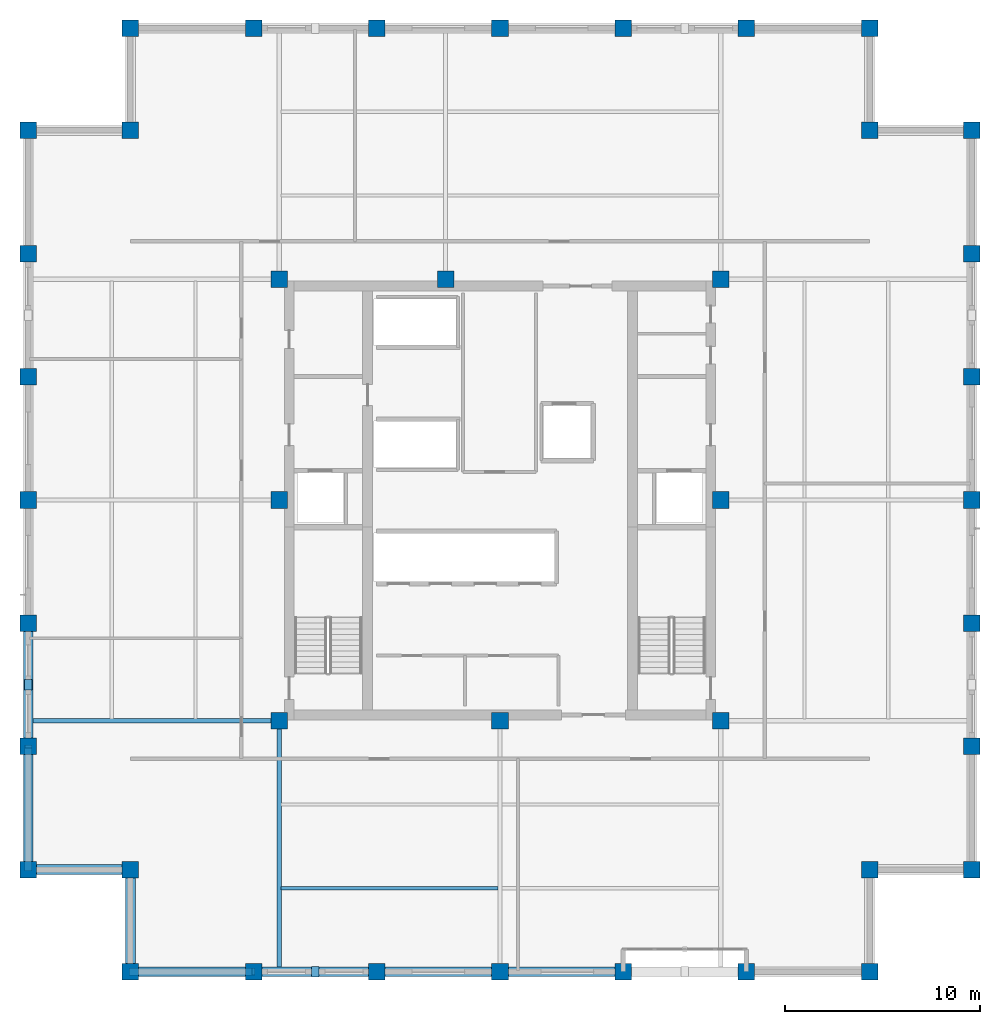
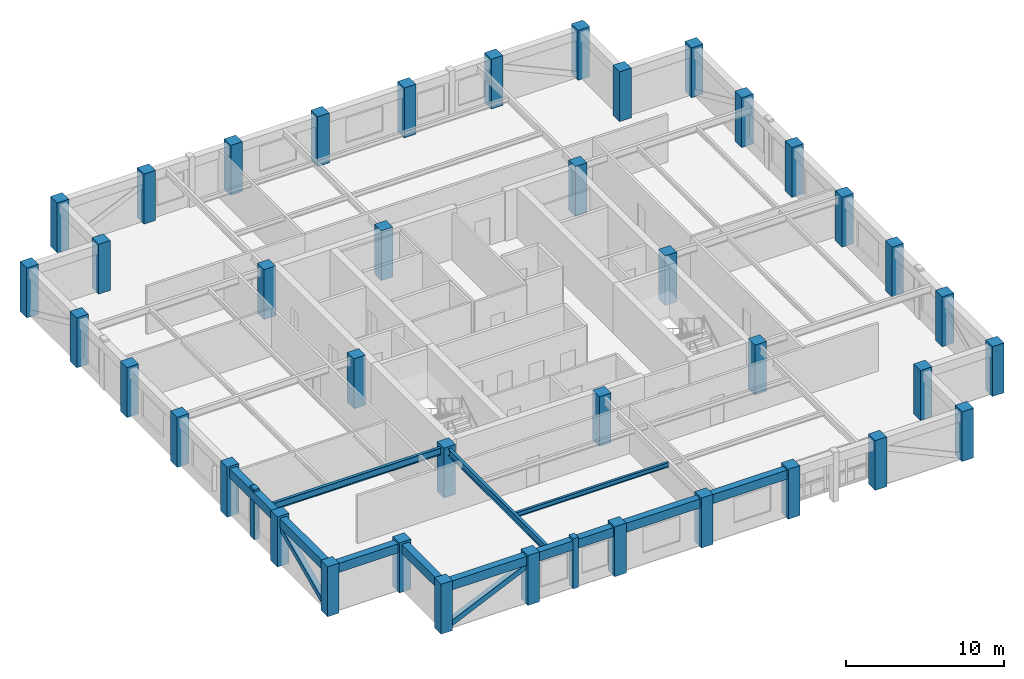
# One storey, part 1 of 13: 40 columns, 11 beams, 4 members.
"""IFC4 building model written with IfcOpenShell, lengths in metres."""

from ifc_helpers import new_model, si_unit, direction, frame, origin, origin_2d, place, context, subcontext, project, spatial, rectangle, hollow_rectangle, i_section, extrude, material, material_profile, profile_set, type_object, element, save


model = new_model("IFC4")

# Units and contexts
model_context = context("Model", 3, precision=1e-05, world=origin(), true_north=direction((0.0, 1.0)))
body_context = subcontext(model_context, "Body", "Model", "MODEL_VIEW")
ifc_project = project(units=[si_unit("LENGTHUNIT", "METRE"), si_unit("AREAUNIT", "SQUARE_METRE"), si_unit("VOLUMEUNIT", "CUBIC_METRE"), si_unit("PLANEANGLEUNIT", "RADIAN"), si_unit("MASSUNIT", "GRAM", prefix="KILO")], contexts=[model_context])

# Site, building, storey
site_placement = place(None, origin())
site = spatial("IfcSite", under=ifc_project, at=site_placement, CompositionType="ELEMENT")
building_placement = place(site_placement, origin())
building = spatial("IfcBuilding", under=site, at=building_placement, Name="Nhamokura Convention Tower", CompositionType="ELEMENT")
storey_placement = place(building_placement, frame((0.0, 0.0, 213.85009765625)))
storey = spatial("IfcBuildingStorey", under=building, at=storey_placement, Name="L52", CompositionType="ELEMENT", Elevation=213.85009765625)

# Columns
ifc_material_1 = material(Name="Concrete C50/60", Category="concrete")
ifc_material_profile_1 = material_profile(ifc_material_1, rectangle(XDim=0.85009765625, YDim=0.85009765625, at=origin_2d()))
ifc_profile_set_1 = profile_set([ifc_material_profile_1], Name="Concrete C50/60")
column_type = type_object("IfcColumnType", Name="TubeColumn_Z3_850", PredefinedType="COLUMN", material=ifc_profile_set_1)
for number, where, z_axis, x_axis, name in (
    (1, (20.64990234375, 20.64990234375, 0.0), (0.0, 0.0, 1.0), (1.0, 0.0, 0.0), "L52 Core Column CC-SW"),
    (2, (32.0, 20.64990234375, 0.0), (0.0, 0.0, 1.0), (1.0, 0.0, 0.0), "L52 Core Column CC-S"),
    (3, (43.35009765625, 20.64990234375, 0.0), (0.0, 0.0, 1.0), (1.0, 0.0, 0.0), "L52 Core Column CC-SE"),
    (4, (43.35009765625, 32.0, 0.0), (0.0, 0.0, 1.0), (1.0, 0.0, 0.0), "L52 Core Column CC-E"),
    (5, (43.35009765625, 43.35009765625, 0.0), (0.0, 0.0, 1.0), (1.0, 0.0, 0.0), "L52 Core Column CC-NE"),
    (6, (29.199951171875, 43.35009765625, 0.0), (0.0, 0.0, 1.0), (1.0, 0.0, 0.0), "L52 Core Column CC-N"),
    (7, (20.64990234375, 43.35009765625, 0.0), (0.0, 0.0, 1.0), (1.0, 0.0, 0.0), "L52 Core Column CC-NW"),
    (8, (20.64990234375, 32.0, 0.0), (0.0, 0.0, 1.0), (1.0, 0.0, 0.0), "L52 Core Column CC-W"),
    (9, (13.0, 7.75, 0.0), (0.0, 0.0, 1.0), (1.0, 0.0, 0.0), "L52 Perimeter Tube Column SW1"),
    (10, (13.0, 13.0, 0.0), (0.0, 0.0, 1.0), (1.0, 0.0, 0.0), "L52 Perimeter Tube Column SW0"),
    (11, (7.75, 13.0, 0.0), (0.0, 0.0, 1.0), (1.0, 0.0, 0.0), "L52 Perimeter Tube Column SW2"),
    (12, (51.0, 7.75, 0.0), (0.0, 0.0, 1.0), (1.0, 0.0, 0.0), "L52 Perimeter Tube Column SE1"),
    (13, (51.0, 13.0, 0.0), (0.0, 0.0, 1.0), (1.0, 0.0, 0.0), "L52 Perimeter Tube Column SE0"),
    (14, (56.25, 13.0, 0.0), (0.0, 0.0, 1.0), (1.0, 0.0, 0.0), "L52 Perimeter Tube Column SE2"),
    (15, (56.25, 51.0, 0.0), (0.0, 0.0, 1.0), (1.0, 0.0, 0.0), "L52 Perimeter Tube Column NE1"),
    (16, (51.0, 51.0, 0.0), (0.0, 0.0, 1.0), (1.0, 0.0, 0.0), "L52 Perimeter Tube Column NE0"),
    (17, (51.0, 56.25, 0.0), (0.0, 0.0, 1.0), (1.0, 0.0, 0.0), "L52 Perimeter Tube Column NE2"),
    (18, (13.0, 56.25, 0.0), (0.0, 0.0, 1.0), (1.0, 0.0, 0.0), "L52 Perimeter Tube Column NW1"),
    (19, (13.0, 51.0, 0.0), (0.0, 0.0, 1.0), (1.0, 0.0, 0.0), "L52 Perimeter Tube Column NW0"),
    (20, (7.75, 51.0, 0.0), (0.0, 0.0, 1.0), (1.0, 0.0, 0.0), "L52 Perimeter Tube Column NW2"),
    (21, (19.333251953125, 7.75, 0.0), (0.0, 0.0, 1.0), (1.0, 0.0, 0.0), "L52 Perimeter Tube Column S1"),
    (22, (19.333251953125, 56.25, 0.0), (0.0, 0.0, 1.0), (1.0, 0.0, 0.0), "L52 Perimeter Tube Column N1"),
    (23, (7.75, 19.333251953125, 0.0), (0.0, 0.0, 1.0), (1.0, 0.0, 0.0), "L52 Perimeter Tube Column W1"),
    (24, (56.25, 19.333251953125, 0.0), (0.0, 0.0, 1.0), (1.0, 0.0, 0.0), "L52 Perimeter Tube Column E1"),
    (25, (25.666748046875, 7.75, 0.0), (0.0, 0.0, 1.0), (1.0, 0.0, 0.0), "L52 Perimeter Tube Column S2"),
    (26, (25.666748046875, 56.25, 0.0), (0.0, 0.0, 1.0), (1.0, 0.0, 0.0), "L52 Perimeter Tube Column N2"),
    (27, (7.75, 25.666748046875, 0.0), (0.0, 0.0, 1.0), (1.0, 0.0, 0.0), "L52 Perimeter Tube Column W2"),
    (28, (56.25, 25.666748046875, 0.0), (0.0, 0.0, 1.0), (1.0, 0.0, 0.0), "L52 Perimeter Tube Column E2"),
    (29, (32.0, 7.75, 0.0), (0.0, 0.0, 1.0), (1.0, 0.0, 0.0), "L52 Perimeter Tube Column S3"),
    (30, (32.0, 56.25, 0.0), (0.0, 0.0, 1.0), (1.0, 0.0, 0.0), "L52 Perimeter Tube Column N3"),
    (31, (7.75, 32.0, 0.0), (0.0, 0.0, 1.0), (1.0, 0.0, 0.0), "L52 Perimeter Tube Column W3"),
    (32, (56.25, 32.0, 0.0), (0.0, 0.0, 1.0), (1.0, 0.0, 0.0), "L52 Perimeter Tube Column E3"),
    (33, (38.333251953125, 7.75, 0.0), (0.0, 0.0, 1.0), (1.0, 0.0, 0.0), "L52 Perimeter Tube Column S4"),
    (34, (38.333251953125, 56.25, 0.0), (0.0, 0.0, 1.0), (1.0, 0.0, 0.0), "L52 Perimeter Tube Column N4"),
    (35, (7.75, 38.333251953125, 0.0), (0.0, 0.0, 1.0), (1.0, 0.0, 0.0), "L52 Perimeter Tube Column W4"),
    (36, (56.25, 38.333251953125, 0.0), (0.0, 0.0, 1.0), (1.0, 0.0, 0.0), "L52 Perimeter Tube Column E4"),
    (37, (44.666748046875, 7.75, 0.0), (0.0, 0.0, 1.0), (1.0, 0.0, 0.0), "L52 Perimeter Tube Column S5"),
    (38, (44.666748046875, 56.25, 0.0), (0.0, 0.0, 1.0), (1.0, 0.0, 0.0), "L52 Perimeter Tube Column N5"),
    (39, (7.75, 44.666748046875, 0.0), (0.0, 0.0, 1.0), (1.0, 0.0, 0.0), "L52 Perimeter Tube Column W5"),
    (40, (56.25, 44.666748046875, 0.0), (0.0, 0.0, 1.0), (1.0, 0.0, 0.0), "L52 Perimeter Tube Column E5"),
):
    element("IfcColumn", number, at=place(storey_placement, frame(where, z_axis=z_axis, x_axis=x_axis)), inside=storey, type_object=column_type, Name=name, PredefinedType="COLUMN", context=body_context, shape_type="SweptSolid", body=[
        extrude(rectangle(XDim=0.85009765625, YDim=0.85009765625, at=origin_2d()), origin(), (0.0, 0.0, 1.0), 3.849853515625),
    ])

# Members
ifc_material_2 = material(Name="Bronze-pigmented precast concrete C45/55", Category="concrete")
ifc_material_profile_2 = material_profile(ifc_material_2, rectangle(XDim=0.39990234375, YDim=0.550048828125, at=origin_2d()))
ifc_profile_set_2 = profile_set([ifc_material_profile_2], Name="Bronze-pigmented precast concrete C45/55")
member_type_1 = type_object("IfcMemberType", Name="BronzePilaster_550", PredefinedType="USERDEFINED", material=ifc_profile_set_2)
for number, where, z_axis, x_axis, name in (
    (41, (22.5, 7.75, 0.0), (0.0, 0.0, 1.0), (1.0, 0.0, 0.0), "L52 Engaged Frame Pilaster SOUTH 1"),
    (42, (7.75, 22.5, 0.0), (0.0, 0.0, 1.0), (1.0, 0.0, 0.0), "L52 Engaged Frame Pilaster WEST 1"),
):
    element("IfcMember", number, at=place(storey_placement, frame(where, z_axis=z_axis, x_axis=x_axis)), inside=storey, type_object=member_type_1, Name=name, ObjectType="PILASTER_TRIM", PredefinedType="USERDEFINED", context=body_context, shape_type="SweptSolid", body=[
        extrude(rectangle(XDim=0.39990234375, YDim=0.550048828125, at=origin_2d()), origin(), (0.0, 0.0, 1.0), 3.849853515625),
    ])

# Beams
ifc_material_3 = material(Name="Steel ASTM A992 Gr 50", Category="steel")
ifc_material_profile_3 = material_profile(ifc_material_3, i_section(OverallWidth=0.172119140625, OverallDepth=0.35791015625, WebThickness=0.0078125, FlangeThickness=0.01318359375, at=origin_2d()))
ifc_profile_set_3 = profile_set([ifc_material_profile_3], Name="Steel ASTM A992 Gr 50")
beam_type_1 = type_object("IfcBeamType", Name="FloorJoist_W360X57", PredefinedType="JOIST", material=ifc_profile_set_3)
beam_1_placement = place(storey_placement, frame((20.75341796875, 12.050048828125, 3.505859375), z_axis=(1.0, 0.0, 0.0), x_axis=(0.0, 1.0, 0.0)))
element("IfcBeam", 43, at=beam_1_placement, inside=storey, type_object=beam_type_1, Name="L52 Composite Floor Joist S1A", PredefinedType="JOIST", context=body_context, shape_type="SweptSolid", body=[
    extrude(i_section(OverallWidth=0.172119140625, OverallDepth=0.35791015625, WebThickness=0.0078125, FlangeThickness=0.01318359375, at=origin_2d()), origin(), (0.0, 0.0, 1.0), 11.14306640625),
])
ifc_material_4 = material(Name="Steel ASTM A992 Gr 50", Category="steel")
ifc_material_profile_4 = material_profile(ifc_material_4, i_section(OverallWidth=0.2109375, OverallDepth=0.5390625, WebThickness=0.01171875, FlangeThickness=0.018798828125, at=origin_2d()))
ifc_profile_set_4 = profile_set([ifc_material_profile_4], Name="Steel ASTM A992 Gr 50")
beam_type_2 = type_object("IfcBeamType", Name="PrimaryGirder_W530X109", PredefinedType="BEAM", material=ifc_profile_set_4)
for number, where, z_axis, x_axis, name in (
    (44, (20.64990234375, 7.75, 3.415283203125), (0.0, 1.0, 0.0), (-1.0, 0.0, 0.0), "L52 Primary Floor Girder PG-S1"),
    (45, (7.75, 20.64990234375, 3.415283203125), (1.0, 0.0, 0.0), (0.0, 1.0, 0.0), "L52 Primary Floor Girder PG-W1"),
):
    element("IfcBeam", number, at=place(storey_placement, frame(where, z_axis=z_axis, x_axis=x_axis)), inside=storey, type_object=beam_type_2, Name=name, PredefinedType="BEAM", context=body_context, shape_type="SweptSolid", body=[
        extrude(i_section(OverallWidth=0.2109375, OverallDepth=0.5390625, WebThickness=0.01171875, FlangeThickness=0.018798828125, at=origin_2d()), origin(), (0.0, 0.0, 1.0), 12.89990234375),
    ])

# Members
ifc_material_5 = material(Name="Steel ASTM A572 Gr 50", Category="steel")
ifc_material_profile_5 = material_profile(ifc_material_5, hollow_rectangle(XDim=0.39990234375, YDim=0.39990234375, WallThickness=0.02001953125, at=origin_2d()))
ifc_profile_set_5 = profile_set([ifc_material_profile_5], Name="Steel ASTM A572 Gr 50")
member_type_2 = type_object("IfcMemberType", Name="TubeBrace_HSS400", PredefinedType="BRACE", material=ifc_profile_set_5)
for number, where, z_axis, x_axis, name in (
    (46, (13.0, 7.75, 0.14990234375), (0.910027379678, 0.0, 0.41454814948), (0.0, 1.0, 0.0), "L52 Perimeter Tube Brace SOUTH Bay 0"),
    (47, (7.75, 13.0, 0.14990234375), (0.0, 0.910027379678, 0.41454814948), (-1.0, 0.0, 0.0), "L52 Perimeter Tube Brace WEST Bay 0"),
):
    element("IfcMember", number, at=place(storey_placement, frame(where, z_axis=z_axis, x_axis=x_axis)), inside=storey, type_object=member_type_2, Name=name, PredefinedType="BRACE", context=body_context, shape_type="SweptSolid", body=[
        extrude(hollow_rectangle(XDim=0.39990234375, YDim=0.39990234375, WallThickness=0.02001953125, at=origin_2d()), origin(), (0.0, 0.0, 1.0), 6.95947265625),
    ])

# Beams
ifc_material_6 = material(Name="Concrete C50/60", Category="concrete")
ifc_material_profile_6 = material_profile(ifc_material_6, rectangle(XDim=0.5, YDim=0.699951171875, at=origin_2d()))
ifc_profile_set_6 = profile_set([ifc_material_profile_6], Name="Concrete C50/60")
beam_type_3 = type_object("IfcBeamType", Name="TubeSpandrel_700", PredefinedType="SPANDREL", material=ifc_profile_set_6)
beam_2_placement = place(storey_placement, frame((13.0, 7.75, 3.3349609375), z_axis=(1.0, 0.0, 0.0), x_axis=(0.0, 1.0, 0.0)))
element("IfcBeam", 48, at=beam_2_placement, inside=storey, type_object=beam_type_3, Name="L52 Perimeter Spandrel SOUTH 1", PredefinedType="SPANDREL", context=body_context, shape_type="SweptSolid", body=[
    extrude(rectangle(XDim=0.5, YDim=0.699951171875, at=origin_2d()), origin(), (0.0, 0.0, 1.0), 6.333251953125),
])
beam_3_placement = place(storey_placement, frame((19.333251953125, 7.75, 3.3349609375), z_axis=(1.0, 0.0, 0.0), x_axis=(0.0, 1.0, 0.0)))
element("IfcBeam", 49, at=beam_3_placement, inside=storey, type_object=beam_type_3, Name="L52 Perimeter Spandrel SOUTH 2", PredefinedType="SPANDREL", context=body_context, shape_type="SweptSolid", body=[
    extrude(rectangle(XDim=0.5, YDim=0.699951171875, at=origin_2d()), origin(), (0.0, 0.0, 1.0), 6.33349609375),
])
for number, where, z_axis, x_axis, name in (
    (50, (25.666748046875, 7.75, 3.3349609375), (1.0, 0.0, 0.0), (0.0, 1.0, 0.0), "L52 Perimeter Spandrel SOUTH 3"),
    (51, (32.0, 7.75, 3.3349609375), (1.0, 0.0, 0.0), (0.0, 1.0, 0.0), "L52 Perimeter Spandrel SOUTH 4"),
    (52, (7.75, 13.0, 3.3349609375), (0.0, 1.0, 0.0), (-1.0, 0.0, 0.0), "L52 Perimeter Spandrel WEST 1"),
):
    element("IfcBeam", number, at=place(storey_placement, frame(where, z_axis=z_axis, x_axis=x_axis)), inside=storey, type_object=beam_type_3, Name=name, PredefinedType="SPANDREL", context=body_context, shape_type="SweptSolid", body=[
        extrude(rectangle(XDim=0.5, YDim=0.699951171875, at=origin_2d()), origin(), (0.0, 0.0, 1.0), 6.333251953125),
    ])
beam_4_placement = place(storey_placement, frame((7.75, 19.333251953125, 3.3349609375), z_axis=(0.0, 1.0, 0.0), x_axis=(-1.0, 0.0, 0.0)))
element("IfcBeam", 53, at=beam_4_placement, inside=storey, type_object=beam_type_3, Name="L52 Perimeter Spandrel WEST 2", PredefinedType="SPANDREL", context=body_context, shape_type="SweptSolid", body=[
    extrude(rectangle(XDim=0.5, YDim=0.699951171875, at=origin_2d()), origin(), (0.0, 0.0, 1.0), 6.33349609375),
])
for number, where, z_axis, x_axis, name in (
    (54, (13.0, 7.75, 3.3349609375), (0.0, 1.0, 0.0), (-1.0, 0.0, 0.0), "L52 Notch Spandrel SW1"),
    (55, (13.0, 13.0, 3.3349609375), (-1.0, 0.0, 0.0), (0.0, -1.0, 0.0), "L52 Notch Spandrel SW2"),
):
    element("IfcBeam", number, at=place(storey_placement, frame(where, z_axis=z_axis, x_axis=x_axis)), inside=storey, type_object=beam_type_3, Name=name, PredefinedType="SPANDREL", context=body_context, shape_type="SweptSolid", body=[
        extrude(rectangle(XDim=0.5, YDim=0.699951171875, at=origin_2d()), origin(), (0.0, 0.0, 1.0), 5.25),
    ])

save(model, "model.ifc")
